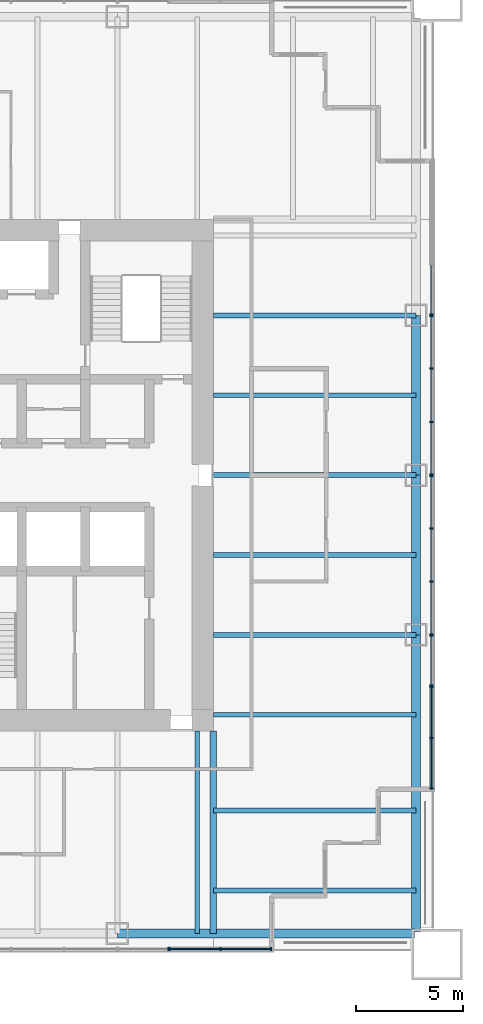
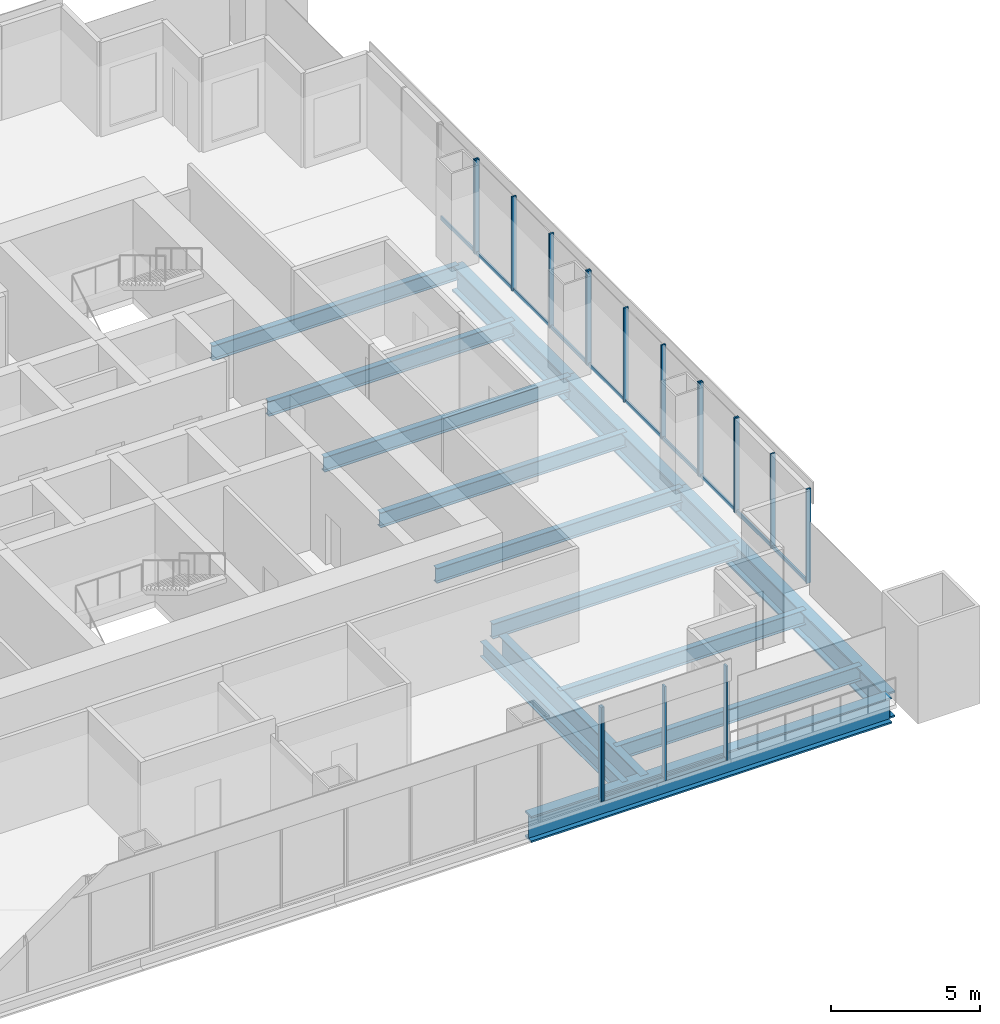
# One storey, part 4 of 13: 30 members, 14 beams, 7 elements without a shape of their own.
"""IFC4 building model written with IfcOpenShell, lengths in metres."""

from ifc_helpers import new_model, si_unit, direction, frame, origin, origin_2d, place, context, subcontext, project, spatial, rectangle, i_section, extrude, material, material_profile, profile_set, type_object, element, aggregate, save


model = new_model("IFC4")

# Units and contexts
model_context = context("Model", 3, precision=1e-05, world=origin(), true_north=direction((0.0, 1.0)))
body_context = subcontext(model_context, "Body", "Model", "MODEL_VIEW")
ifc_project = project(units=[si_unit("LENGTHUNIT", "METRE"), si_unit("AREAUNIT", "SQUARE_METRE"), si_unit("VOLUMEUNIT", "CUBIC_METRE"), si_unit("PLANEANGLEUNIT", "RADIAN"), si_unit("MASSUNIT", "GRAM", prefix="KILO")], contexts=[model_context])

# Site, building, storey
site_placement = place(None, origin())
site = spatial("IfcSite", under=ifc_project, at=site_placement, CompositionType="ELEMENT")
building_placement = place(site_placement, origin())
building = spatial("IfcBuilding", under=site, at=building_placement, Name="Tarangal Relay Tower", CompositionType="ELEMENT")
storey_placement = place(building_placement, frame((0.0, 0.0, 221.89990234375)))
storey = spatial("IfcBuildingStorey", under=building, at=storey_placement, Name="L47", CompositionType="ELEMENT", Elevation=221.89990234375)

# Beams
ifc_material_1 = material(Name="Steel ASTM A992", Category="steel")
ifc_material_profile_1 = material_profile(ifc_material_1, i_section(OverallWidth=0.227783203125, OverallDepth=0.60205078125, WebThickness=0.010498046875, FlangeThickness=0.014892578125, at=origin_2d()), Name="W24X68")
ifc_profile_set_1 = profile_set([ifc_material_profile_1], Name="Steel ASTM A992")
beam_type_1 = type_object("IfcBeamType", Name="Corner beam W24X68", PredefinedType="JOIST", material=ifc_profile_set_1)
for number, where, z_axis, x_axis, name in (
    (1, (12.0, -15.75, -0.450927734375), (1.0, 0.0, 0.0), (0.0, 1.0, 0.0), "Corner beam CB11 E L47"),
    (2, (12.0, -19.5, -0.450927734375), (1.0, 0.0, 0.0), (0.0, 1.0, 0.0), "Corner beam CB11 E L47"),
):
    element("IfcBeam", number, at=place(storey_placement, frame(where, z_axis=z_axis, x_axis=x_axis)), inside=storey, type_object=beam_type_1, Name=name, PredefinedType="JOIST", context=body_context, shape_type="SweptSolid", body=[
        extrude(i_section(OverallWidth=0.227783203125, OverallDepth=0.60205078125, WebThickness=0.010498046875, FlangeThickness=0.014892578125, at=origin_2d()), origin(), (0.0, 0.0, 1.0), 9.514892578125),
    ])
ifc_material_profile_2 = material_profile(ifc_material_1, i_section(OverallWidth=0.307373046875, OverallDepth=0.9423828125, WebThickness=0.022216796875, FlangeThickness=0.039794921875, at=origin_2d()), Name="W36X232")
ifc_profile_set_2 = profile_set([ifc_material_profile_2], Name="Steel ASTM A992")
beam_type_2 = type_object("IfcBeamType", Name="Corner girder W36X232", PredefinedType="BEAM", material=ifc_profile_set_2)
beam_placement = place(storey_placement, frame((12.0, -12.0, -0.62109375), z_axis=(0.0, -1.0, 0.0), x_axis=(1.0, 0.0, 0.0)))
element("IfcBeam", 3, at=beam_placement, inside=storey, type_object=beam_type_2, Name="Corner girder CG4 E L47", PredefinedType="BEAM", context=body_context, shape_type="SweptSolid", body=[
    extrude(i_section(OverallWidth=0.307373046875, OverallDepth=0.9423828125, WebThickness=0.022216796875, FlangeThickness=0.039794921875, at=origin_2d()), origin(), (0.0, 0.0, 1.0), 9.514892578125),
])
ifc_material_profile_3 = material_profile(ifc_material_1, i_section(OverallWidth=0.41650390625, OverallDepth=1.0693359375, WebThickness=0.0390625, FlangeThickness=0.070068359375, at=origin_2d()), Name="W40X503")
ifc_profile_set_3 = profile_set([ifc_material_profile_3], Name="Steel ASTM A992")
beam_type_3 = type_object("IfcBeamType", Name="Edge girder W40X503", PredefinedType="SPANDREL", material=ifc_profile_set_3)
for number, where, z_axis, x_axis, name in (
    (4, (21.514892578125, 7.5, -0.6845703125), (0.0, -1.0, 0.0), (1.0, 0.0, 0.0), "Edge girder EG8 E L47"),
    (5, (21.514892578125, 0.0, -0.6845703125), (0.0, -1.0, 0.0), (1.0, 0.0, 0.0), "Edge girder EG8 E L47"),
):
    element("IfcBeam", number, at=place(storey_placement, frame(where, z_axis=z_axis, x_axis=x_axis)), inside=storey, type_object=beam_type_3, Name=name, PredefinedType="SPANDREL", context=body_context, shape_type="SweptSolid", body=[
        extrude(i_section(OverallWidth=0.41650390625, OverallDepth=1.0693359375, WebThickness=0.0390625, FlangeThickness=0.070068359375, at=origin_2d()), origin(), (0.0, 0.0, 1.0), 7.5),
    ])
for number, where, z_axis, x_axis, name in (
    (6, (21.514892578125, -7.5, -0.6845703125), (0.0, -1.0, 0.0), (1.0, 0.0, 0.0), "Edge girder EG8 E L47"),
    (7, (21.449951171875, -21.514892578125, -0.6845703125), (-1.0, 0.0, 0.0), (0.0, -1.0, 0.0), "Edge girder EG8 S L47"),
):
    element("IfcBeam", number, at=place(storey_placement, frame(where, z_axis=z_axis, x_axis=x_axis)), inside=storey, type_object=beam_type_3, Name=name, PredefinedType="SPANDREL", context=body_context, shape_type="SweptSolid", body=[
        extrude(i_section(OverallWidth=0.41650390625, OverallDepth=1.0693359375, WebThickness=0.0390625, FlangeThickness=0.070068359375, at=origin_2d()), origin(), (0.0, 0.0, 1.0), 13.949951171875),
    ])
ifc_material_profile_4 = material_profile(ifc_material_1, i_section(OverallWidth=0.22900390625, OverallDepth=0.612060546875, WebThickness=0.011962890625, FlangeThickness=0.01953125, at=origin_2d()), Name="W24X84")
ifc_profile_set_4 = profile_set([ifc_material_profile_4], Name="Steel ASTM A992")
beam_type_4 = type_object("IfcBeamType", Name="Floor beam W24X84", PredefinedType="BEAM", material=ifc_profile_set_4)
for number, where, z_axis, x_axis, name in (
    (8, (12.0, 7.5, -0.455810546875), (1.0, 0.0, 0.0), (0.0, 1.0, 0.0), "Floor beam RB12 E L47"),
    (9, (12.0, 3.75, -0.455810546875), (1.0, 0.0, 0.0), (0.0, 1.0, 0.0), "Floor beam RB12 E L47"),
    (10, (12.0, 0.0, -0.455810546875), (1.0, 0.0, 0.0), (0.0, 1.0, 0.0), "Floor beam RB12 E L47"),
    (11, (12.0, -3.75, -0.455810546875), (1.0, 0.0, 0.0), (0.0, 1.0, 0.0), "Floor beam RB12 E L47"),
    (12, (12.0, -7.5, -0.455810546875), (1.0, 0.0, 0.0), (0.0, 1.0, 0.0), "Floor beam RB12 E L47"),
    (13, (12.0, -11.25, -0.455810546875), (1.0, 0.0, 0.0), (0.0, 1.0, 0.0), "Floor beam RB12 E L47"),
    (14, (11.25, -12.0, -0.455810546875), (0.0, -1.0, 0.0), (1.0, 0.0, 0.0), "Floor beam RB12 S L47"),
):
    element("IfcBeam", number, at=place(storey_placement, frame(where, z_axis=z_axis, x_axis=x_axis)), inside=storey, type_object=beam_type_4, Name=name, PredefinedType="BEAM", context=body_context, shape_type="SweptSolid", body=[
        extrude(i_section(OverallWidth=0.22900390625, OverallDepth=0.612060546875, WebThickness=0.011962890625, FlangeThickness=0.01953125, at=origin_2d()), origin(), (0.0, 0.0, 1.0), 9.514892578125),
    ])

# Curtain wall, member
ifc_material_2 = material(Name="Unitised curtain wall, dark glass and black aluminium", Category="aluminium")
curtain_wall_type_1 = type_object("IfcCurtainWallType", Name="Curtain wall CW-A", PredefinedType="USERDEFINED", material=ifc_material_2)
curtain_wall_1_placement = place(storey_placement, origin())
curtain_wall_1 = element("IfcCurtainWall", 15, at=curtain_wall_1_placement, inside=storey, type_object=curtain_wall_type_1, Name="Curtain wall CW-A E facade L47", ObjectType="UNITISED CURTAIN WALL", PredefinedType="USERDEFINED")
ifc_material_3 = material(Name="Black anodised aluminium mullion", Category="aluminium")
ifc_material_profile_5 = material_profile(ifc_material_3, rectangle(XDim=0.175048828125, YDim=0.06494140625, at=origin_2d()), Name="CW-AM 65X175")
ifc_profile_set_5 = profile_set([ifc_material_profile_5], Name="Black anodised aluminium mullion")
member_type_1 = type_object("IfcMemberType", Name="Mullion CW-A 65 x 175", PredefinedType="MULLION", material=ifc_profile_set_5)
member_1_placement = place(storey_placement, frame((22.25, 7.532470703125, 0.0), z_axis=(0.0, 0.0, 1.0), x_axis=(1.0, 0.0, 0.0)))
member_1 = element("IfcMember", 16, at=member_1_placement, type_object=member_type_1, Name="CW-A mullion 2", PredefinedType="MULLION", context=body_context, shape_type="SweptSolid", body=[
    extrude(rectangle(XDim=0.175048828125, YDim=0.06494140625, at=origin_2d()), origin(), (0.0, 0.0, 1.0), 3.85009765625),
])

# Curtain wall, members
curtain_wall_2_placement = place(storey_placement, origin())
curtain_wall_2 = element("IfcCurtainWall", 17, at=curtain_wall_2_placement, inside=storey, type_object=curtain_wall_type_1, Name="Curtain wall CW-A E facade L47", ObjectType="UNITISED CURTAIN WALL", PredefinedType="USERDEFINED")
member_2_placement = place(storey_placement, frame((22.25, 7.467529296875, 0.0), z_axis=(0.0, 0.0, 1.0), x_axis=(1.0, 0.0, 0.0)))
member_2 = element("IfcMember", 18, at=member_2_placement, type_object=member_type_1, Name="CW-A mullion 1", PredefinedType="MULLION", context=body_context, shape_type="SweptSolid", body=[
    extrude(rectangle(XDim=0.175048828125, YDim=0.06494140625, at=origin_2d()), origin(), (0.0, 0.0, 1.0), 3.85009765625),
])
member_3_placement = place(storey_placement, frame((22.25, 5.0, 0.0), z_axis=(0.0, 0.0, 1.0), x_axis=(1.0, 0.0, 0.0)))
member_3 = element("IfcMember", 19, at=member_3_placement, type_object=member_type_1, Name="CW-A mullion 2", PredefinedType="MULLION", context=body_context, shape_type="SweptSolid", body=[
    extrude(rectangle(XDim=0.175048828125, YDim=0.06494140625, at=origin_2d()), origin(), (0.0, 0.0, 1.0), 3.85009765625),
])
member_4_placement = place(storey_placement, frame((22.25, 2.5, 0.0), z_axis=(0.0, 0.0, 1.0), x_axis=(1.0, 0.0, 0.0)))
member_4 = element("IfcMember", 20, at=member_4_placement, type_object=member_type_1, Name="CW-A mullion 3", PredefinedType="MULLION", context=body_context, shape_type="SweptSolid", body=[
    extrude(rectangle(XDim=0.175048828125, YDim=0.06494140625, at=origin_2d()), origin(), (0.0, 0.0, 1.0), 3.85009765625),
])
member_5_placement = place(storey_placement, frame((22.25, 0.032470703125, 0.0), z_axis=(0.0, 0.0, 1.0), x_axis=(1.0, 0.0, 0.0)))
member_5 = element("IfcMember", 21, at=member_5_placement, type_object=member_type_1, Name="CW-A mullion 4", PredefinedType="MULLION", context=body_context, shape_type="SweptSolid", body=[
    extrude(rectangle(XDim=0.175048828125, YDim=0.06494140625, at=origin_2d()), origin(), (0.0, 0.0, 1.0), 3.85009765625),
])

curtain_wall_3_placement = place(storey_placement, origin())
curtain_wall_3 = element("IfcCurtainWall", 22, at=curtain_wall_3_placement, inside=storey, type_object=curtain_wall_type_1, Name="Curtain wall CW-A E facade L47", ObjectType="UNITISED CURTAIN WALL", PredefinedType="USERDEFINED")
member_6_placement = place(storey_placement, frame((22.25, -0.032470703125, 0.0), z_axis=(0.0, 0.0, 1.0), x_axis=(1.0, 0.0, 0.0)))
member_6 = element("IfcMember", 23, at=member_6_placement, type_object=member_type_1, Name="CW-A mullion 1", PredefinedType="MULLION", context=body_context, shape_type="SweptSolid", body=[
    extrude(rectangle(XDim=0.175048828125, YDim=0.06494140625, at=origin_2d()), origin(), (0.0, 0.0, 1.0), 3.85009765625),
])
member_7_placement = place(storey_placement, frame((22.25, -2.5, 0.0), z_axis=(0.0, 0.0, 1.0), x_axis=(1.0, 0.0, 0.0)))
member_7 = element("IfcMember", 24, at=member_7_placement, type_object=member_type_1, Name="CW-A mullion 2", PredefinedType="MULLION", context=body_context, shape_type="SweptSolid", body=[
    extrude(rectangle(XDim=0.175048828125, YDim=0.06494140625, at=origin_2d()), origin(), (0.0, 0.0, 1.0), 3.85009765625),
])
member_8_placement = place(storey_placement, frame((22.25, -5.0, 0.0), z_axis=(0.0, 0.0, 1.0), x_axis=(1.0, 0.0, 0.0)))
member_8 = element("IfcMember", 25, at=member_8_placement, type_object=member_type_1, Name="CW-A mullion 3", PredefinedType="MULLION", context=body_context, shape_type="SweptSolid", body=[
    extrude(rectangle(XDim=0.175048828125, YDim=0.06494140625, at=origin_2d()), origin(), (0.0, 0.0, 1.0), 3.85009765625),
])
member_9_placement = place(storey_placement, frame((22.25, -7.467529296875, 0.0), z_axis=(0.0, 0.0, 1.0), x_axis=(1.0, 0.0, 0.0)))
member_9 = element("IfcMember", 26, at=member_9_placement, type_object=member_type_1, Name="CW-A mullion 4", PredefinedType="MULLION", context=body_context, shape_type="SweptSolid", body=[
    extrude(rectangle(XDim=0.175048828125, YDim=0.06494140625, at=origin_2d()), origin(), (0.0, 0.0, 1.0), 3.85009765625),
])

curtain_wall_4_placement = place(storey_placement, origin())
curtain_wall_4 = element("IfcCurtainWall", 27, at=curtain_wall_4_placement, inside=storey, type_object=curtain_wall_type_1, Name="Curtain wall CW-A E facade L47", ObjectType="UNITISED CURTAIN WALL", PredefinedType="USERDEFINED")
member_10_placement = place(storey_placement, frame((22.25, -7.532470703125, 0.0), z_axis=(0.0, 0.0, 1.0), x_axis=(1.0, 0.0, 0.0)))
member_10 = element("IfcMember", 28, at=member_10_placement, type_object=member_type_1, Name="CW-A mullion 1", PredefinedType="MULLION", context=body_context, shape_type="SweptSolid", body=[
    extrude(rectangle(XDim=0.175048828125, YDim=0.06494140625, at=origin_2d()), origin(), (0.0, 0.0, 1.0), 3.85009765625),
])
member_11_placement = place(storey_placement, frame((22.25, -9.88427734375, 0.0), z_axis=(0.0, 0.0, 1.0), x_axis=(1.0, 0.0, 0.0)))
member_11 = element("IfcMember", 29, at=member_11_placement, type_object=member_type_1, Name="CW-A mullion 2", PredefinedType="MULLION", context=body_context, shape_type="SweptSolid", body=[
    extrude(rectangle(XDim=0.175048828125, YDim=0.06494140625, at=origin_2d()), origin(), (0.0, 0.0, 1.0), 3.85009765625),
])

# Curtain wall, member
curtain_wall_5_placement = place(storey_placement, origin())
curtain_wall_5 = element("IfcCurtainWall", 30, at=curtain_wall_5_placement, inside=storey, type_object=curtain_wall_type_1, Name="Curtain wall CW-A S facade L47", ObjectType="UNITISED CURTAIN WALL", PredefinedType="USERDEFINED")
member_12_placement = place(storey_placement, frame((9.88427734375, -22.25, 0.0), z_axis=(0.0, 0.0, 1.0), x_axis=(0.0, -1.0, 0.0)))
member_12 = element("IfcMember", 31, at=member_12_placement, type_object=member_type_1, Name="CW-A mullion 1", PredefinedType="MULLION", context=body_context, shape_type="SweptSolid", body=[
    extrude(rectangle(XDim=0.175048828125, YDim=0.06494140625, at=origin_2d()), origin(), (0.0, 0.0, 1.0), 3.85009765625),
])
aggregate(curtain_wall_5, [member_12])

# Curtain wall, members
ifc_material_4 = material(Name="Unitised curtain wall frame, black aluminium, with metal clad infill walls", Category="aluminium")
curtain_wall_type_2 = type_object("IfcCurtainWallType", Name="Curtain wall CW-AO", PredefinedType="USERDEFINED", material=ifc_material_4)
curtain_wall_6_placement = place(storey_placement, origin())
curtain_wall_6 = element("IfcCurtainWall", 32, at=curtain_wall_6_placement, inside=storey, type_object=curtain_wall_type_2, Name="Curtain wall CW-AO E facade L47", ObjectType="UNITISED CURTAIN WALL", PredefinedType="USERDEFINED")
ifc_material_profile_6 = material_profile(ifc_material_3, rectangle(XDim=0.175048828125, YDim=0.06494140625, at=origin_2d()), Name="CW-AOM 65X175")
ifc_profile_set_6 = profile_set([ifc_material_profile_6], Name="Black anodised aluminium mullion")
member_type_2 = type_object("IfcMemberType", Name="Mullion CW-AO 65 x 175", PredefinedType="MULLION", material=ifc_profile_set_6)
member_13_placement = place(storey_placement, frame((22.25, -9.94921875, 0.0), z_axis=(0.0, 0.0, 1.0), x_axis=(1.0, 0.0, 0.0)))
member_13 = element("IfcMember", 33, at=member_13_placement, type_object=member_type_2, Name="CW-AO mullion 1", PredefinedType="MULLION", context=body_context, shape_type="SweptSolid", body=[
    extrude(rectangle(XDim=0.175048828125, YDim=0.06494140625, at=origin_2d()), origin(), (0.0, 0.0, 1.0), 3.85009765625),
])
member_14_placement = place(storey_placement, frame((22.25, -12.333251953125, 0.0), z_axis=(0.0, 0.0, 1.0), x_axis=(1.0, 0.0, 0.0)))
member_14 = element("IfcMember", 34, at=member_14_placement, type_object=member_type_2, Name="CW-AO mullion 2", PredefinedType="MULLION", context=body_context, shape_type="SweptSolid", body=[
    extrude(rectangle(XDim=0.175048828125, YDim=0.06494140625, at=origin_2d()), origin(), (0.0, 0.0, 1.0), 3.85009765625),
])
member_15_placement = place(storey_placement, frame((22.25, -14.717529296875, 0.0), z_axis=(0.0, 0.0, 1.0), x_axis=(1.0, 0.0, 0.0)))
member_15 = element("IfcMember", 35, at=member_15_placement, type_object=member_type_2, Name="CW-AO mullion 3", PredefinedType="MULLION", context=body_context, shape_type="SweptSolid", body=[
    extrude(rectangle(XDim=0.175048828125, YDim=0.06494140625, at=origin_2d()), origin(), (0.0, 0.0, 1.0), 3.85009765625),
])

curtain_wall_7_placement = place(storey_placement, origin())
curtain_wall_7 = element("IfcCurtainWall", 36, at=curtain_wall_7_placement, inside=storey, type_object=curtain_wall_type_2, Name="Curtain wall CW-AO S facade L47", ObjectType="UNITISED CURTAIN WALL", PredefinedType="USERDEFINED")
member_16_placement = place(storey_placement, frame((14.717529296875, -22.25, 0.0), z_axis=(0.0, 0.0, 1.0), x_axis=(0.0, -1.0, 0.0)))
member_16 = element("IfcMember", 37, at=member_16_placement, type_object=member_type_2, Name="CW-AO mullion 1", PredefinedType="MULLION", context=body_context, shape_type="SweptSolid", body=[
    extrude(rectangle(XDim=0.175048828125, YDim=0.06494140625, at=origin_2d()), origin(), (0.0, 0.0, 1.0), 3.85009765625),
])
member_17_placement = place(storey_placement, frame((12.333251953125, -22.25, 0.0), z_axis=(0.0, 0.0, 1.0), x_axis=(0.0, -1.0, 0.0)))
member_17 = element("IfcMember", 38, at=member_17_placement, type_object=member_type_2, Name="CW-AO mullion 2", PredefinedType="MULLION", context=body_context, shape_type="SweptSolid", body=[
    extrude(rectangle(XDim=0.175048828125, YDim=0.06494140625, at=origin_2d()), origin(), (0.0, 0.0, 1.0), 3.85009765625),
])
member_18_placement = place(storey_placement, frame((9.94921875, -22.25, 0.0), z_axis=(0.0, 0.0, 1.0), x_axis=(0.0, -1.0, 0.0)))
member_18 = element("IfcMember", 39, at=member_18_placement, type_object=member_type_2, Name="CW-AO mullion 3", PredefinedType="MULLION", context=body_context, shape_type="SweptSolid", body=[
    extrude(rectangle(XDim=0.175048828125, YDim=0.06494140625, at=origin_2d()), origin(), (0.0, 0.0, 1.0), 3.85009765625),
])

# Member
ifc_material_5 = material(Name="Black anodised aluminium transom", Category="aluminium")
ifc_material_profile_7 = material_profile(ifc_material_5, rectangle(XDim=0.06494140625, YDim=0.14990234375, at=origin_2d()), Name="CW-AT 65X150")
ifc_profile_set_7 = profile_set([ifc_material_profile_7], Name="Black anodised aluminium transom")
member_type_3 = type_object("IfcMemberType", Name="Transom CW-A 65 x 150", PredefinedType="USERDEFINED", material=ifc_profile_set_7)
member_19_placement = place(storey_placement, frame((22.25, 9.851806640625, 0.03271484375), z_axis=(0.0, -1.0, 0.0), x_axis=(1.0, 0.0, 0.0)))
member_19 = element("IfcMember", 40, at=member_19_placement, type_object=member_type_3, Name="CW-A transom 1.1", ObjectType="TRANSOM", PredefinedType="USERDEFINED", context=body_context, shape_type="SweptSolid", body=[
    extrude(rectangle(XDim=0.06494140625, YDim=0.14990234375, at=origin_2d()), origin(), (0.0, 0.0, 1.0), 2.286865234375),
])

aggregate(curtain_wall_1, [member_1, member_19])

member_20_placement = place(storey_placement, frame((22.25, 7.43505859375, 0.03271484375), z_axis=(0.0, -1.0, 0.0), x_axis=(1.0, 0.0, 0.0)))
member_20 = element("IfcMember", 41, at=member_20_placement, type_object=member_type_3, Name="CW-A transom 1.1", ObjectType="TRANSOM", PredefinedType="USERDEFINED", context=body_context, shape_type="SweptSolid", body=[
    extrude(rectangle(XDim=0.06494140625, YDim=0.14990234375, at=origin_2d()), origin(), (0.0, 0.0, 1.0), 2.402587890625),
])

member_21_placement = place(storey_placement, frame((22.25, 4.967529296875, 0.03271484375), z_axis=(0.0, -1.0, 0.0), x_axis=(1.0, 0.0, 0.0)))
member_21 = element("IfcMember", 42, at=member_21_placement, type_object=member_type_3, Name="CW-A transom 2.1", ObjectType="TRANSOM", PredefinedType="USERDEFINED", context=body_context, shape_type="SweptSolid", body=[
    extrude(rectangle(XDim=0.06494140625, YDim=0.14990234375, at=origin_2d()), origin(), (0.0, 0.0, 1.0), 2.43505859375),
])

member_22_placement = place(storey_placement, frame((22.25, 2.467529296875, 0.03271484375), z_axis=(0.0, -1.0, 0.0), x_axis=(1.0, 0.0, 0.0)))
member_22 = element("IfcMember", 43, at=member_22_placement, type_object=member_type_3, Name="CW-A transom 3.1", ObjectType="TRANSOM", PredefinedType="USERDEFINED", context=body_context, shape_type="SweptSolid", body=[
    extrude(rectangle(XDim=0.06494140625, YDim=0.14990234375, at=origin_2d()), origin(), (0.0, 0.0, 1.0), 2.402587890625),
])

aggregate(curtain_wall_2, [member_2, member_3, member_4, member_5, member_20, member_21, member_22])

member_23_placement = place(storey_placement, frame((22.25, -0.06494140625, 0.03271484375), z_axis=(0.0, -1.0, 0.0), x_axis=(1.0, 0.0, 0.0)))
member_23 = element("IfcMember", 44, at=member_23_placement, type_object=member_type_3, Name="CW-A transom 1.1", ObjectType="TRANSOM", PredefinedType="USERDEFINED", context=body_context, shape_type="SweptSolid", body=[
    extrude(rectangle(XDim=0.06494140625, YDim=0.14990234375, at=origin_2d()), origin(), (0.0, 0.0, 1.0), 2.402587890625),
])

member_24_placement = place(storey_placement, frame((22.25, -2.532470703125, 0.03271484375), z_axis=(0.0, -1.0, 0.0), x_axis=(1.0, 0.0, 0.0)))
member_24 = element("IfcMember", 45, at=member_24_placement, type_object=member_type_3, Name="CW-A transom 2.1", ObjectType="TRANSOM", PredefinedType="USERDEFINED", context=body_context, shape_type="SweptSolid", body=[
    extrude(rectangle(XDim=0.06494140625, YDim=0.14990234375, at=origin_2d()), origin(), (0.0, 0.0, 1.0), 2.43505859375),
])

member_25_placement = place(storey_placement, frame((22.25, -5.032470703125, 0.03271484375), z_axis=(0.0, -1.0, 0.0), x_axis=(1.0, 0.0, 0.0)))
member_25 = element("IfcMember", 46, at=member_25_placement, type_object=member_type_3, Name="CW-A transom 3.1", ObjectType="TRANSOM", PredefinedType="USERDEFINED", context=body_context, shape_type="SweptSolid", body=[
    extrude(rectangle(XDim=0.06494140625, YDim=0.14990234375, at=origin_2d()), origin(), (0.0, 0.0, 1.0), 2.402587890625),
])

aggregate(curtain_wall_3, [member_6, member_7, member_8, member_9, member_23, member_24, member_25])

member_26_placement = place(storey_placement, frame((22.25, -7.56494140625, 0.03271484375), z_axis=(0.0, -1.0, 0.0), x_axis=(1.0, 0.0, 0.0)))
member_26 = element("IfcMember", 47, at=member_26_placement, type_object=member_type_3, Name="CW-A transom 1.1", ObjectType="TRANSOM", PredefinedType="USERDEFINED", context=body_context, shape_type="SweptSolid", body=[
    extrude(rectangle(XDim=0.06494140625, YDim=0.14990234375, at=origin_2d()), origin(), (0.0, 0.0, 1.0), 2.286865234375),
])

aggregate(curtain_wall_4, [member_10, member_11, member_26])

ifc_material_profile_8 = material_profile(ifc_material_5, rectangle(XDim=0.06494140625, YDim=0.14990234375, at=origin_2d()), Name="CW-AOT 65X150")
ifc_profile_set_8 = profile_set([ifc_material_profile_8], Name="Black anodised aluminium transom")
member_type_4 = type_object("IfcMemberType", Name="Transom CW-AO 65 x 150", PredefinedType="USERDEFINED", material=ifc_profile_set_8)
member_27_placement = place(storey_placement, frame((22.25, -9.981689453125, 0.03271484375), z_axis=(0.0, -1.0, 0.0), x_axis=(1.0, 0.0, 0.0)))
member_27 = element("IfcMember", 48, at=member_27_placement, type_object=member_type_4, Name="CW-AO transom 1.1", ObjectType="TRANSOM", PredefinedType="USERDEFINED", context=body_context, shape_type="SweptSolid", body=[
    extrude(rectangle(XDim=0.06494140625, YDim=0.14990234375, at=origin_2d()), origin(), (0.0, 0.0, 1.0), 2.319091796875),
])

member_28_placement = place(storey_placement, frame((22.25, -12.365966796875, 0.03271484375), z_axis=(0.0, -1.0, 0.0), x_axis=(1.0, 0.0, 0.0)))
member_28 = element("IfcMember", 49, at=member_28_placement, type_object=member_type_4, Name="CW-AO transom 2.1", ObjectType="TRANSOM", PredefinedType="USERDEFINED", context=body_context, shape_type="SweptSolid", body=[
    extrude(rectangle(XDim=0.06494140625, YDim=0.14990234375, at=origin_2d()), origin(), (0.0, 0.0, 1.0), 2.319091796875),
])

aggregate(curtain_wall_6, [member_13, member_14, member_15, member_27, member_28])

member_29_placement = place(storey_placement, frame((14.68505859375, -22.25, 0.03271484375), z_axis=(-1.0, 0.0, 0.0), x_axis=(0.0, -1.0, 0.0)))
member_29 = element("IfcMember", 50, at=member_29_placement, type_object=member_type_4, Name="CW-AO transom 1.1", ObjectType="TRANSOM", PredefinedType="USERDEFINED", context=body_context, shape_type="SweptSolid", body=[
    extrude(rectangle(XDim=0.06494140625, YDim=0.14990234375, at=origin_2d()), origin(), (0.0, 0.0, 1.0), 2.319091796875),
])

member_30_placement = place(storey_placement, frame((12.30078125, -22.25, 0.03271484375), z_axis=(-1.0, 0.0, 0.0), x_axis=(0.0, -1.0, 0.0)))
member_30 = element("IfcMember", 51, at=member_30_placement, type_object=member_type_4, Name="CW-AO transom 2.1", ObjectType="TRANSOM", PredefinedType="USERDEFINED", context=body_context, shape_type="SweptSolid", body=[
    extrude(rectangle(XDim=0.06494140625, YDim=0.14990234375, at=origin_2d()), origin(), (0.0, 0.0, 1.0), 2.319091796875),
])

aggregate(curtain_wall_7, [member_16, member_17, member_18, member_29, member_30])

save(model, "model.ifc")
